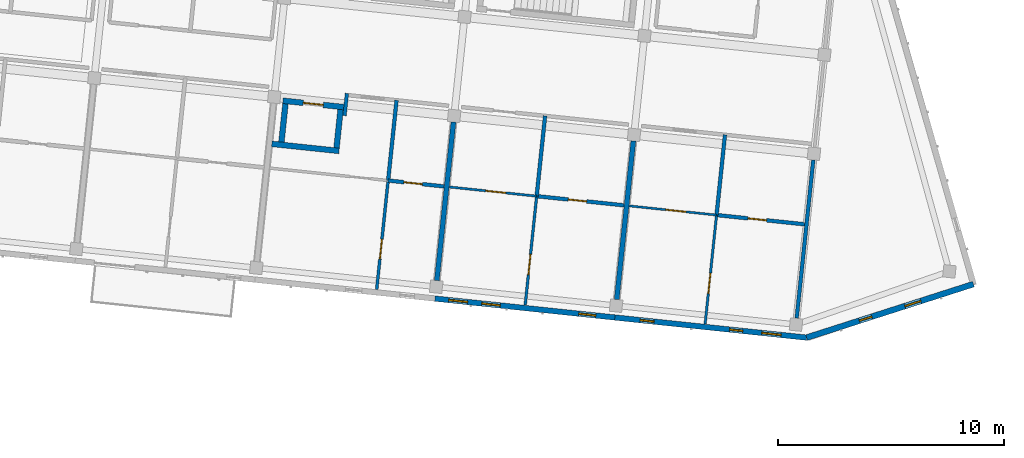
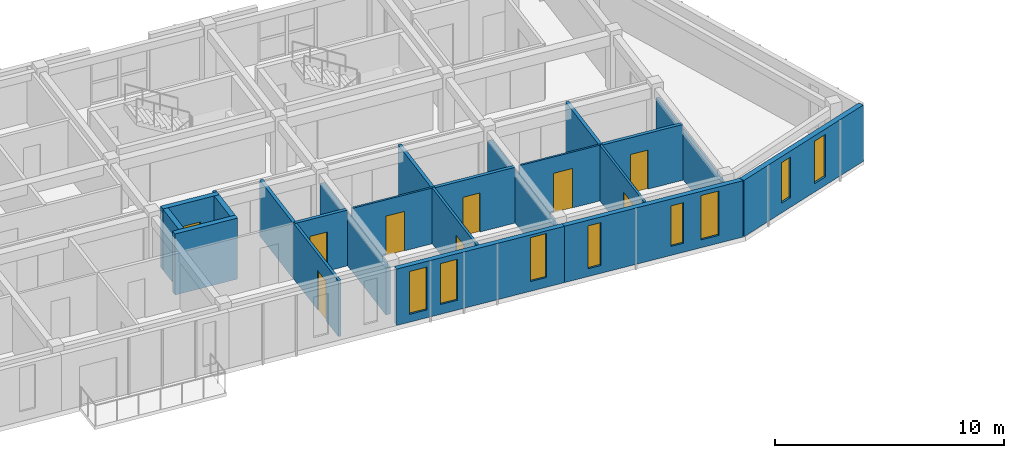
# One storey, part 37 of 66: 22 walls, 9 doors, 8 windows, 17 openings.
"""IFC4 building model written with IfcOpenShell, lengths in metres."""

import ifcopenshell
import ifcopenshell.guid

model = None  # the IFC model being written
_history = None  # IfcOwnerHistory: only IFC2X3 demands one
_inside = {}  # id of a spatial element -> (the spatial element, [elements in it])
_under = {}  # id of a project, library or spatial element -> (it, [spatial elements below it])
_declared = {}  # id of a project -> (the project, [libraries it declares])
_typed = {}  # id of a type object -> (the type object, [elements of that type])
_made_of = {}  # id of a material, layer set ... -> (it, [elements and type objects made of it])


def new_model(schema):
    """Start an empty IFC model of exactly this schema.

    Asked for "IFC4X3", IfcOpenShell would pick the latest addendum, in which some entities
    have other attributes; the version numbers below select the first issue.
    IFC2X3 requires an IfcOwnerHistory on every rooted entity: one is made here for all.
    """
    global model, _history
    if schema == "IFC4X3":
        model = ifcopenshell.file(schema_version=(4, 3, 0, 0))
    else:
        model = ifcopenshell.file(schema=schema)
    _inside.clear()
    _under.clear()
    _declared.clear()
    _typed.clear()
    _made_of.clear()
    _history = None
    if model.schema == "IFC2X3":
        org = make("IfcOrganization", Name="unknown")
        user = make(
            "IfcPersonAndOrganization",
            ThePerson=make("IfcPerson", FamilyName="unknown"),
            TheOrganization=org,
        )
        app = make(
            "IfcApplication",
            ApplicationDeveloper=org,
            Version="unknown",
            ApplicationFullName="unknown",
            ApplicationIdentifier="unknown",
        )
        _history = make(
            "IfcOwnerHistory",
            OwningUser=user,
            OwningApplication=app,
            ChangeAction="ADDED",
            CreationDate=0,
        )
    return model


def make(cls, **values):
    """One entity of the class cls with the attributes given. An attribute that is None is left unset."""
    return model.create_entity(
        cls, **{name: value for name, value in values.items() if value is not None}
    )


def rooted(cls, **values):
    """An entity with a GlobalId (a new one), such as an element, a storey or a relation."""
    return make(cls, GlobalId=ifcopenshell.guid.new(), OwnerHistory=_history, **values)


def si_unit(unit_type, name, prefix=None):
    """IfcSIUnit, for example si_unit("LENGTHUNIT", "METRE", prefix="MILLI")."""
    return make("IfcSIUnit", UnitType=unit_type, Prefix=prefix, Name=name)


def assignment(units):
    """IfcUnitAssignment: the units of a project."""
    return None if units is None else make("IfcUnitAssignment", Units=units)


def point(xyz):
    """IfcCartesianPoint."""
    return None if xyz is None else make("IfcCartesianPoint", Coordinates=xyz)


def direction(xyz):
    """IfcDirection."""
    return None if xyz is None else make("IfcDirection", DirectionRatios=xyz)


def frame(location, z_axis=None, x_axis=None):
    """IfcAxis2Placement3D, a coordinate frame: its origin and axes. An axis left out is left unset."""
    return make(
        "IfcAxis2Placement3D",
        Location=point(location),
        Axis=direction(z_axis),
        RefDirection=direction(x_axis),
    )


def frame_2d(location, x_axis=None):
    """IfcAxis2Placement2D, a coordinate frame in the plane: its origin and x axis."""
    return make(
        "IfcAxis2Placement2D", Location=point(location), RefDirection=direction(x_axis)
    )


def origin():
    """The frame at (0, 0, 0) with its axes left unset."""
    return frame((0.0, 0.0, 0.0))


def place(relative_to, where):
    """IfcLocalPlacement: puts the frame where relative to a parent placement (None: the world)."""
    return make(
        "IfcLocalPlacement", PlacementRelTo=relative_to, RelativePlacement=where
    )


def context(
    kind, dimensions, precision=None, world=None, true_north=None, identifier=None
):
    """IfcGeometricRepresentationContext, for example the 3D "Model" context."""
    return make(
        "IfcGeometricRepresentationContext",
        ContextIdentifier=identifier,
        ContextType=kind,
        CoordinateSpaceDimension=dimensions,
        Precision=precision,
        WorldCoordinateSystem=world,
        TrueNorth=true_north,
    )


def subcontext(parent, identifier, kind, view, scale=None):
    """IfcGeometricRepresentationSubContext, for example "Body" below "Model"."""
    return make(
        "IfcGeometricRepresentationSubContext",
        ContextIdentifier=identifier,
        ContextType=kind,
        ParentContext=parent,
        TargetScale=scale,
        TargetView=view,
    )


def project(units=None, contexts=None):
    """IfcProject with its units and contexts."""
    return rooted(
        "IfcProject",
        Name="project",
        RepresentationContexts=contexts,
        UnitsInContext=assignment(units),
    )


def spatial(cls, under=None, at=None, **own):
    """A site, building, storey or space (cls), placed at a placement, below another one or the project."""
    s = rooted(cls, ObjectPlacement=at, **own)
    if under is not None:
        _under.setdefault(under.id(), (under, []))[1].append(s)
    return s


def profile(cls, at=None, kind="AREA", **sizes):
    """A parametric profile (cls). Its sizes go by their IFC names, for example OverallWidth=200.0."""
    return make(cls, ProfileType=kind, Position=at, **sizes)


def rectangle(**sizes):
    """IfcRectangleProfileDef."""
    return profile("IfcRectangleProfileDef", **sizes)


def extrude(swept, where, along, depth):
    """IfcExtrudedAreaSolid: the profile swept, set in the frame where, extruded along a direction by depth."""
    return make(
        "IfcExtrudedAreaSolid",
        SweptArea=swept,
        Position=where,
        ExtrudedDirection=direction(along),
        Depth=depth,
    )


def shape(context_of_items, identifier, shape_type, items):
    """IfcShapeRepresentation: the items that make up one representation, for example the "Body"."""
    return make(
        "IfcShapeRepresentation",
        ContextOfItems=context_of_items,
        RepresentationIdentifier=identifier,
        RepresentationType=shape_type,
        Items=items,
    )


def material(Name=None, Category=None):
    """IfcMaterial."""
    return make("IfcMaterial", Name=Name, Category=Category)


def layer(
    of_material, thickness, ventilated=None, Name=None, Category=None, Priority=None
):
    """IfcMaterialLayer: one layer of a wall or slab, of a material (None: an air gap)."""
    return make(
        "IfcMaterialLayer",
        Material=of_material,
        LayerThickness=thickness,
        IsVentilated=ventilated,
        Name=Name,
        Category=Category,
        Priority=Priority,
    )


def layer_set(layers, Name=None):
    """IfcMaterialLayerSet."""
    return make("IfcMaterialLayerSet", MaterialLayers=layers, LayerSetName=Name)


def made_of(thing, what):
    """Note that an element or type object is made of a material, layer set ...; save() writes the relation."""
    if what is not None:
        _made_of.setdefault(what.id(), (what, []))[1].append(thing)
    return thing


def type_object(cls, material=None, **own):
    """A type object (cls), such as IfcWallType, which elements share."""
    return made_of(rooted(cls, **own), material)


def element(
    cls,
    number,
    at=None,
    inside=None,
    cuts=None,
    type_object=None,
    material=None,
    context=None,
    identifier="Body",
    shape_type=None,
    held_by="IfcProductDefinitionShape",
    body=None,
    shapes=None,
    **own,
):
    """One element of the class cls, such as IfcWall. Its Tag is "e" and its number.

    at: its placement. inside: the storey or other place that contains it. cuts: it is an
    opening in that element (IfcRelVoidsElement). A single representation is given by context,
    identifier, shape_type and body (its items); several are given by shapes. held_by: the class
    of the entity that holds the representations. save() writes the other relations.
    """
    e = rooted(cls, Tag="e%d" % number, ObjectPlacement=at, **own)
    if body is not None:
        shapes = [shape(context, identifier, shape_type, body)]
    if shapes is not None:
        e.Representation = make(held_by, Representations=shapes)
    if inside is not None:
        _inside.setdefault(inside.id(), (inside, []))[1].append(e)
    if cuts is not None:
        rooted(
            "IfcRelVoidsElement", RelatingBuildingElement=cuts, RelatedOpeningElement=e
        )
    if type_object is not None:
        _typed.setdefault(type_object.id(), (type_object, []))[1].append(e)
    return made_of(e, material)


def fill(opening, filler):
    """IfcRelFillsElement: the door or window that sits in an opening."""
    return rooted(
        "IfcRelFillsElement",
        RelatingOpeningElement=opening,
        RelatedBuildingElement=filler,
    )


def aggregate(whole, parts):
    """IfcRelAggregates: a whole, such as a stair, and the parts it consists of."""
    return rooted("IfcRelAggregates", RelatingObject=whole, RelatedObjects=parts)


def save(model, path):
    """Write the relations noted so far, then the file.

    IfcRelAggregates (storeys below a building ...), IfcRelContainedInSpatialStructure (elements
    in a storey), IfcRelDefinesByType, IfcRelAssociatesMaterial and IfcRelDeclares: one each for
    every whole, place, type object, material and project.
    """
    for whole, parts in _under.values():
        aggregate(whole, parts)
    for where, things in _inside.values():
        rooted(
            "IfcRelContainedInSpatialStructure",
            RelatedElements=things,
            RelatingStructure=where,
        )
    for kind, things in _typed.values():
        rooted("IfcRelDefinesByType", RelatedObjects=things, RelatingType=kind)
    for what, things in _made_of.values():
        rooted("IfcRelAssociatesMaterial", RelatedObjects=things, RelatingMaterial=what)
    for by, libraries in _declared.values():
        rooted("IfcRelDeclares", RelatingContext=by, RelatedDefinitions=libraries)
    model.write(path)


model = new_model("IFC4")

# Units and contexts
model_context = context("Model", 3, precision=1e-05, world=origin(), true_north=direction((0.0, 1.0)))
body_context = subcontext(model_context, "Body", "Model", "MODEL_VIEW")
ifc_project = project(units=[si_unit("LENGTHUNIT", "METRE"), si_unit("AREAUNIT", "SQUARE_METRE"), si_unit("VOLUMEUNIT", "CUBIC_METRE"), si_unit("PLANEANGLEUNIT", "RADIAN"), si_unit("MASSUNIT", "GRAM", prefix="KILO")], contexts=[model_context])

# Site, building, storey
site_placement = place(None, origin())
site = spatial("IfcSite", under=ifc_project, at=site_placement, CompositionType="ELEMENT")
building_placement = place(site_placement, origin())
building = spatial("IfcBuilding", under=site, at=building_placement, Name="Kestramere Prow Commons", CompositionType="ELEMENT")
storey_placement = place(building_placement, frame((0.0, 0.0, 14.89990234375)))
storey = spatial("IfcBuildingStorey", under=building, at=storey_placement, Name="L04", CompositionType="ELEMENT", Elevation=14.89990234375)

# Wall, openings, windows
ifc_material_1 = material(Name="Weathered Zinc-Titanium Standing-Seam Cladding")
ifc_layer_1 = layer(ifc_material_1, 0.260009765625)
ifc_layer_set_1 = layer_set([ifc_layer_1], Name="Weathered Zinc-Titanium Standing-Seam Cladding")
wall_type_1 = type_object("IfcWallType", Name="EW-PROW-260", PredefinedType="SOLIDWALL", material=ifc_layer_set_1)
wall_1_placement = place(storey_placement, frame((165.587158203125, 91.57177734375, 0.0), z_axis=(0.0, 0.0, 1.0), x_axis=(-0.9522851043, -0.305209895201, 0.0)))
wall_1 = element("IfcWall", 1, at=wall_1_placement, inside=storey, type_object=wall_type_1, Name="Block B L04 PRW-S Facet Wall", PredefinedType="SOLIDWALL", context=body_context, shape_type="SweptSolid", body=[
    extrude(rectangle(XDim=7.752685546875, YDim=0.260009765625, at=frame_2d((3.87646484375, 0.0))), origin(), (0.0, 0.0, 1.0), 3.0),
])
opening_1_placement = place(wall_1_placement, frame((2.449951171875, 0.0, 0.449951171875)))
opening_1 = element("IfcOpeningElement", 2, at=opening_1_placement, cuts=wall_1, Name="Opening WN-09", PredefinedType="OPENING", context=body_context, shape_type="SweptSolid", body=[
    extrude(rectangle(XDim=0.739990234375, YDim=2.260009765625, at=frame_2d((0.3701171875, 1.1298828125))), frame((0.0, 0.14501953125, 0.0), z_axis=(0.0, -1.0, 0.0), x_axis=(1.0, 0.0, 0.0)), (0.0, 0.0, 1.0), 0.2900390625),
])
opening_2_placement = place(wall_1_placement, frame((4.72265625, 0.0, 0.52001953125)))
opening_2 = element("IfcOpeningElement", 3, at=opening_2_placement, cuts=wall_1, Name="Opening WN-01", PredefinedType="OPENING", context=body_context, shape_type="SweptSolid", body=[
    extrude(rectangle(XDim=0.580078125, YDim=2.159912109375, at=frame_2d((0.2900390625, 1.080078125))), frame((0.0, 0.14501953125, 0.0), z_axis=(0.0, -1.0, 0.0), x_axis=(1.0, 0.0, 0.0)), (0.0, 0.0, 1.0), 0.2900390625),
])
ifc_material_2 = material(Name="Low-E Laminated Double Glazing", Category="glass")
window_type_1 = type_object("IfcWindowType", Name="WN-NAR-580A", PartitioningType="SINGLE_PANEL", PredefinedType="WINDOW", material=ifc_material_2)
window_1_placement = place(opening_2_placement, origin())
window_1 = element("IfcWindow", 4, at=window_1_placement, inside=storey, type_object=window_type_1, Name="WN-B-L04-PRW-S-1", OverallHeight=2.159912109375, OverallWidth=0.580078125, PartitioningType="SINGLE_PANEL", PredefinedType="WINDOW", context=body_context, shape_type="SweptSolid", body=[
    extrude(rectangle(XDim=0.580078125, YDim=2.159912109375, at=frame_2d((0.2900390625, 1.080078125))), frame((0.0, 0.030029296875, 0.0), z_axis=(0.0, -1.0, 0.0), x_axis=(1.0, 0.0, 0.0)), (0.0, 0.0, 1.0), 0.06005859375),
])
fill(opening_2, window_1)
window_type_2 = type_object("IfcWindowType", Name="WN-NAR-740A", PartitioningType="SINGLE_PANEL", PredefinedType="WINDOW", material=ifc_material_2)
window_2_placement = place(opening_1_placement, origin())
window_2 = element("IfcWindow", 5, at=window_2_placement, inside=storey, type_object=window_type_2, Name="WN-B-L04-PRW-S-0", OverallHeight=2.260009765625, OverallWidth=0.739990234375, PartitioningType="SINGLE_PANEL", PredefinedType="WINDOW", context=body_context, shape_type="SweptSolid", body=[
    extrude(rectangle(XDim=0.739990234375, YDim=2.260009765625, at=frame_2d((0.3701171875, 1.1298828125))), frame((0.0, 0.030029296875, 0.0), z_axis=(0.0, -1.0, 0.0), x_axis=(1.0, 0.0, 0.0)), (0.0, 0.0, 1.0), 0.06005859375),
])
fill(opening_1, window_2)

ifc_material_3 = material(Name="Fluoropolymer Standing-Seam Zinc-Aluminium Cladding", Category="aluminium")
ifc_layer_2 = layer(ifc_material_3, 0.239990234375)
ifc_layer_set_2 = layer_set([ifc_layer_2], Name="Fluoropolymer Standing-Seam Zinc-Aluminium Cladding")
wall_type_2 = type_object("IfcWallType", Name="EW-SEAM-240", PredefinedType="SOLIDWALL", material=ifc_layer_set_2)
wall_2_placement = place(storey_placement, frame((149.72607421875, 90.0966796875, 0.0), z_axis=(0.0, 0.0, 1.0), x_axis=(-0.994522662826, 0.104521161134, 0.0)))
wall_2 = element("IfcWall", 6, at=wall_2_placement, inside=storey, type_object=wall_type_2, Name="Block B L04 South Standing-Seam Wall 5", PredefinedType="SOLIDWALL", context=body_context, shape_type="SweptSolid", body=[
    extrude(rectangle(XDim=8.0, YDim=0.239990234375, at=frame_2d((4.0, 0.0))), origin(), (0.0, 0.0, 1.0), 3.0),
])
opening_3_placement = place(wall_2_placement, frame((0.846923828125, 0.0, 0.52001953125)))
opening_3 = element("IfcOpeningElement", 7, at=opening_3_placement, cuts=wall_2, Name="Opening WN-10", PredefinedType="OPENING", context=body_context, shape_type="SweptSolid", body=[
    extrude(rectangle(XDim=0.760009765625, YDim=2.340087890625, at=frame_2d((0.3798828125, 1.169921875))), frame((0.0, 0.135009765625, 0.0), z_axis=(0.0, -1.0, 0.0), x_axis=(1.0, 0.0, 0.0)), (0.0, 0.0, 1.0), 0.27001953125),
])
opening_4_placement = place(wall_2_placement, frame((5.10009765625, 0.0, 0.52001953125)))
opening_4 = element("IfcOpeningElement", 8, at=opening_4_placement, cuts=wall_2, Name="Opening WN-13", PredefinedType="OPENING", context=body_context, shape_type="SweptSolid", body=[
    extrude(rectangle(XDim=0.820068359375, YDim=2.179931640625, at=frame_2d((0.41015625, 1.08984375))), frame((0.0, 0.135009765625, 0.0), z_axis=(0.0, -1.0, 0.0), x_axis=(1.0, 0.0, 0.0)), (0.0, 0.0, 1.0), 0.27001953125),
])
opening_5_placement = place(wall_2_placement, frame((6.550048828125, 0.0, 0.419921875)))
opening_5 = element("IfcOpeningElement", 9, at=opening_5_placement, cuts=wall_2, Name="Opening WN-14", PredefinedType="OPENING", context=body_context, shape_type="SweptSolid", body=[
    extrude(rectangle(XDim=0.840087890625, YDim=2.280029296875, at=frame_2d((0.419921875, 1.14013671875))), frame((0.0, 0.135009765625, 0.0), z_axis=(0.0, -1.0, 0.0), x_axis=(1.0, 0.0, 0.0)), (0.0, 0.0, 1.0), 0.27001953125),
])
window_type_3 = type_object("IfcWindowType", Name="WN-NAR-760A", PartitioningType="SINGLE_PANEL", PredefinedType="WINDOW", material=ifc_material_2)
window_3_placement = place(opening_3_placement, origin())
window_3 = element("IfcWindow", 10, at=window_3_placement, inside=storey, type_object=window_type_3, Name="WN-B-L04-S-4-00", OverallHeight=2.340087890625, OverallWidth=0.760009765625, PartitioningType="SINGLE_PANEL", PredefinedType="WINDOW", context=body_context, shape_type="SweptSolid", body=[
    extrude(rectangle(XDim=0.760009765625, YDim=2.340087890625, at=frame_2d((0.3798828125, 1.169921875))), frame((0.0, 0.030029296875, 0.0), z_axis=(0.0, -1.0, 0.0), x_axis=(1.0, 0.0, 0.0)), (0.0, 0.0, 1.0), 0.06005859375),
])
fill(opening_3, window_3)
window_type_4 = type_object("IfcWindowType", Name="WN-NAR-820A", PartitioningType="DOUBLE_PANEL_VERTICAL", PredefinedType="WINDOW", material=ifc_material_2)
window_4_placement = place(opening_4_placement, origin())
window_4 = element("IfcWindow", 11, at=window_4_placement, inside=storey, type_object=window_type_4, Name="WN-B-L04-S-4-10", OverallHeight=2.179931640625, OverallWidth=0.820068359375, PartitioningType="SINGLE_PANEL", PredefinedType="WINDOW", context=body_context, shape_type="SweptSolid", body=[
    extrude(rectangle(XDim=0.820068359375, YDim=2.179931640625, at=frame_2d((0.41015625, 1.08984375))), frame((0.0, 0.030029296875, 0.0), z_axis=(0.0, -1.0, 0.0), x_axis=(1.0, 0.0, 0.0)), (0.0, 0.0, 1.0), 0.06005859375),
])
fill(opening_4, window_4)
window_type_5 = type_object("IfcWindowType", Name="WN-NAR-840A", PartitioningType="DOUBLE_PANEL_VERTICAL", PredefinedType="WINDOW", material=ifc_material_2)
window_5_placement = place(opening_5_placement, origin())
window_5 = element("IfcWindow", 12, at=window_5_placement, inside=storey, type_object=window_type_5, Name="WN-B-L04-S-4-11", OverallHeight=2.280029296875, OverallWidth=0.840087890625, PartitioningType="SINGLE_PANEL", PredefinedType="WINDOW", context=body_context, shape_type="SweptSolid", body=[
    extrude(rectangle(XDim=0.840087890625, YDim=2.280029296875, at=frame_2d((0.419921875, 1.14013671875))), frame((0.0, 0.030029296875, 0.0), z_axis=(0.0, -1.0, 0.0), x_axis=(1.0, 0.0, 0.0)), (0.0, 0.0, 1.0), 0.06005859375),
])
fill(opening_5, window_5)

wall_3_placement = place(storey_placement, frame((158.204345703125, 89.20556640625, 0.0), z_axis=(0.0, 0.0, 1.0), x_axis=(-0.994521760736, 0.104529744196, 0.0)))
wall_3 = element("IfcWall", 13, at=wall_3_placement, inside=storey, type_object=wall_type_2, Name="Block B L04 South Standing-Seam Wall 6", PredefinedType="SOLIDWALL", context=body_context, shape_type="SweptSolid", body=[
    extrude(rectangle(XDim=8.52490234375, YDim=0.239990234375, at=frame_2d((4.262451171875, 0.0))), origin(), (0.0, 0.0, 1.0), 3.0),
])
opening_6_placement = place(wall_3_placement, frame((1.135009765625, 0.0, 0.419921875)))
opening_6 = element("IfcOpeningElement", 14, at=opening_6_placement, cuts=wall_3, Name="Opening WN-15", PredefinedType="OPENING", context=body_context, shape_type="SweptSolid", body=[
    extrude(rectangle(XDim=0.860107421875, YDim=2.360107421875, at=frame_2d((0.43017578125, 1.18017578125))), frame((0.0, 0.135009765625, 0.0), z_axis=(0.0, -1.0, 0.0), x_axis=(1.0, 0.0, 0.0)), (0.0, 0.0, 1.0), 0.27001953125),
])
opening_7_placement = place(wall_3_placement, frame((2.844970703125, 0.0, 0.47998046875)))
opening_7 = element("IfcOpeningElement", 15, at=opening_7_placement, cuts=wall_3, Name="Opening WN-01", PredefinedType="OPENING", context=body_context, shape_type="SweptSolid", body=[
    extrude(rectangle(XDim=0.580078125, YDim=2.159912109375, at=frame_2d((0.2900390625, 1.080078125))), frame((0.0, 0.135009765625, 0.0), z_axis=(0.0, -1.0, 0.0), x_axis=(1.0, 0.0, 0.0)), (0.0, 0.0, 1.0), 0.27001953125),
])
opening_8_placement = place(wall_3_placement, frame((6.7822265625, 0.0, 0.419921875)))
opening_8 = element("IfcOpeningElement", 16, at=opening_8_placement, cuts=wall_3, Name="Opening WN-03", PredefinedType="OPENING", context=body_context, shape_type="SweptSolid", body=[
    extrude(rectangle(XDim=0.6201171875, YDim=2.280029296875, at=frame_2d((0.31005859375, 1.14013671875))), frame((0.0, 0.135009765625, 0.0), z_axis=(0.0, -1.0, 0.0), x_axis=(1.0, 0.0, 0.0)), (0.0, 0.0, 1.0), 0.27001953125),
])
window_6_placement = place(opening_7_placement, origin())
window_6 = element("IfcWindow", 17, at=window_6_placement, inside=storey, type_object=window_type_1, Name="WN-B-L04-S-5-01", OverallHeight=2.159912109375, OverallWidth=0.580078125, PartitioningType="SINGLE_PANEL", PredefinedType="WINDOW", context=body_context, shape_type="SweptSolid", body=[
    extrude(rectangle(XDim=0.580078125, YDim=2.159912109375, at=frame_2d((0.2900390625, 1.080078125))), frame((0.0, 0.030029296875, 0.0), z_axis=(0.0, -1.0, 0.0), x_axis=(1.0, 0.0, 0.0)), (0.0, 0.0, 1.0), 0.06005859375),
])
fill(opening_7, window_6)
window_type_6 = type_object("IfcWindowType", Name="WN-NAR-620A", PartitioningType="SINGLE_PANEL", PredefinedType="WINDOW", material=ifc_material_2)
window_7_placement = place(opening_8_placement, origin())
window_7 = element("IfcWindow", 18, at=window_7_placement, inside=storey, type_object=window_type_6, Name="WN-B-L04-S-5-10", OverallHeight=2.280029296875, OverallWidth=0.6201171875, PartitioningType="SINGLE_PANEL", PredefinedType="WINDOW", context=body_context, shape_type="SweptSolid", body=[
    extrude(rectangle(XDim=0.6201171875, YDim=2.280029296875, at=frame_2d((0.31005859375, 1.14013671875))), frame((0.0, 0.030029296875, 0.0), z_axis=(0.0, -1.0, 0.0), x_axis=(1.0, 0.0, 0.0)), (0.0, 0.0, 1.0), 0.06005859375),
])
fill(opening_8, window_7)
window_type_7 = type_object("IfcWindowType", Name="WN-NAR-860A", PartitioningType="DOUBLE_PANEL_VERTICAL", PredefinedType="WINDOW", material=ifc_material_2)
window_8_placement = place(opening_6_placement, origin())
window_8 = element("IfcWindow", 19, at=window_8_placement, inside=storey, type_object=window_type_7, Name="WN-B-L04-S-5-00", OverallHeight=2.360107421875, OverallWidth=0.860107421875, PartitioningType="SINGLE_PANEL", PredefinedType="WINDOW", context=body_context, shape_type="SweptSolid", body=[
    extrude(rectangle(XDim=0.860107421875, YDim=2.360107421875, at=frame_2d((0.43017578125, 1.18017578125))), frame((0.0, 0.030029296875, 0.0), z_axis=(0.0, -1.0, 0.0), x_axis=(1.0, 0.0, 0.0)), (0.0, 0.0, 1.0), 0.06005859375),
])
fill(opening_6, window_8)

# Walls
ifc_material_4 = material(Name="Fire-Rated Calcium Silicate Wall")
ifc_layer_3 = layer(ifc_material_4, 0.155029296875)
ifc_layer_set_3 = layer_set([ifc_layer_3], Name="Fire-Rated Calcium Silicate Wall")
wall_type_3 = type_object("IfcWallType", Name="W-FIRE-150", PredefinedType="PARTITIONING", material=ifc_layer_set_3)
wall_4_placement = place(storey_placement, frame((137.773193359375, 99.02001953125, 0.0), z_axis=(0.0, 0.0, 1.0), x_axis=(0.104531505358, 0.994521575627, 0.0)))
element("IfcWall", 20, at=wall_4_placement, inside=storey, type_object=wall_type_3, Name="Interior Partition PW-B-L04-HS-CLOSER", PredefinedType="PARTITIONING", context=body_context, shape_type="SweptSolid", body=[
    extrude(rectangle(XDim=0.994873046875, YDim=0.155029296875, at=frame_2d((0.49755859375, 0.0))), origin(), (0.0, 0.0, 1.0), 2.97021484375),
])
ifc_material_5 = material(Name="Concrete C40/50", Category="concrete")
ifc_layer_4 = layer(ifc_material_5, 0.25)
ifc_layer_set_4 = layer_set([ifc_layer_4], Name="Concrete C40/50")
wall_type_4 = type_object("IfcWallType", Name="W-HS-250", PredefinedType="SHEAR", material=ifc_layer_set_4)
wall_5_placement = place(storey_placement, frame((134.555419921875, 97.774658203125, 0.0), z_axis=(0.0, 0.0, 1.0), x_axis=(0.994514844427, -0.104595526741, 0.0)))
element("IfcWall", 21, at=wall_5_placement, inside=storey, type_object=wall_type_4, Name="Block B L04 Household Shelter South Wall", PredefinedType="SHEAR", context=body_context, shape_type="SweptSolid", body=[
    extrude(rectangle(XDim=2.989990234375, YDim=0.25, at=frame_2d((1.4951171875, 0.0))), origin(), (0.0, 0.0, 1.0), 3.25),
])

# Wall, opening, door
wall_6_placement = place(storey_placement, frame((135.047607421875, 99.68359375, 0.0), z_axis=(0.0, 0.0, 1.0), x_axis=(0.994522285292, -0.104524753323, 0.0)))
wall_6 = element("IfcWall", 22, at=wall_6_placement, inside=storey, type_object=wall_type_4, Name="Block B L04 Household Shelter North Wall", PredefinedType="SHEAR", context=body_context, shape_type="SweptSolid", body=[
    extrude(rectangle(XDim=2.7001953125, YDim=0.25, at=frame_2d((1.35009765625, 0.0))), origin(), (0.0, 0.0, 1.0), 3.25),
])
opening_9_placement = place(wall_6_placement, frame((0.89990234375, 0.0, 0.0)))
opening_9 = element("IfcOpeningElement", 23, at=opening_9_placement, cuts=wall_6, Name="Opening ID-06", PredefinedType="OPENING", context=body_context, shape_type="SweptSolid", body=[
    extrude(rectangle(XDim=0.89990234375, YDim=2.050048828125, at=frame_2d((0.449951171875, 1.02490234375))), frame((0.0, 0.139892578125, 0.0), z_axis=(0.0, -1.0, 0.0), x_axis=(1.0, 0.0, 0.0)), (0.0, 0.0, 1.0), 0.280029296875),
])
ifc_material_6 = material(Name="Galvanised Steel S275JR Household Shelter Door", Category="steel")
door_type_1 = type_object("IfcDoorType", Name="FD-HS-01", OperationType="NOTDEFINED", PredefinedType="DOOR", material=ifc_material_6)
door_1_placement = place(opening_9_placement, origin())
door_1 = element("IfcDoor", 24, at=door_1_placement, inside=storey, type_object=door_type_1, Name="Block B L04 Household Shelter Blast Door", OperationType="SINGLE_SWING_RIGHT", OverallHeight=2.050048828125, OverallWidth=0.89990234375, PredefinedType="DOOR", context=body_context, shape_type="SweptSolid", body=[
    extrude(rectangle(XDim=0.89990234375, YDim=2.050048828125, at=frame_2d((0.449951171875, 1.02490234375))), frame((0.0, 0.02490234375, 0.0), z_axis=(0.0, -1.0, 0.0), x_axis=(1.0, 0.0, 0.0)), (0.0, 0.0, 1.0), 0.050048828125),
])
fill(opening_9, door_1)

# Walls
for number, where, z_axis, x_axis, name in (
    (25, (134.981201171875, 97.85546875, 0.0), (0.0, 0.0, 1.0), (0.104550220202, 0.994519608382, 0.0), "Block B L04 Household Shelter W Wall"),
    (26, (137.417724609375, 97.599365234375, 0.0), (0.0, 0.0, 1.0), (0.104550220202, 0.994519608382, 0.0), "Block B L04 Household Shelter E Wall"),
):
    element("IfcWall", number, at=place(storey_placement, frame(where, z_axis=z_axis, x_axis=x_axis)), inside=storey, type_object=wall_type_4, Name=name, PredefinedType="SHEAR", context=body_context, shape_type="SweptSolid", body=[
        extrude(rectangle(XDim=1.699951171875, YDim=0.25, at=frame_2d((0.85009765625, 0.0))), origin(), (0.0, 0.0, 1.0), 3.25),
    ])

# Wall, opening, door
ifc_material_7 = material(Name="Gypsum Acoustic Drywall")
ifc_layer_5 = layer(ifc_material_7, 0.10009765625)
ifc_layer_set_5 = layer_set([ifc_layer_5], Name="Gypsum Acoustic Drywall")
wall_type_5 = type_object("IfcWallType", Name="W-PART-100", PredefinedType="PARTITIONING", material=ifc_layer_set_5)
wall_7_placement = place(storey_placement, frame((142.404296875, 95.86865234375, 0.0), z_axis=(0.0, 0.0, 1.0), x_axis=(0.994523688713, -0.104511399326, 0.0)))
wall_7 = element("IfcWall", 27, at=wall_7_placement, inside=storey, type_object=wall_type_5, Name="Interior Partition PW-B-L04-MIDS1-4", PredefinedType="PARTITIONING", context=body_context, shape_type="SweptSolid", body=[
    extrude(rectangle(XDim=3.884765625, YDim=0.10009765625, at=frame_2d((1.9423828125, 0.0))), origin(), (0.0, 0.0, 1.0), 2.97021484375),
])
opening_10_placement = place(wall_7_placement, frame((1.625, 0.0, 0.0)))
opening_10 = element("IfcOpeningElement", 28, at=opening_10_placement, cuts=wall_7, Name="Opening ID-10", PredefinedType="OPENING", context=body_context, shape_type="SweptSolid", body=[
    extrude(rectangle(XDim=0.8798828125, YDim=2.10009765625, at=frame_2d((0.43994140625, 1.050048828125))), frame((0.0, 0.06494140625, 0.0), z_axis=(0.0, -1.0, 0.0), x_axis=(1.0, 0.0, 0.0)), (0.0, 0.0, 1.0), 0.130126953125),
])
ifc_material_8 = material(Name="Engineered Timber Bedroom Door", Category="wood")
door_type_2 = type_object("IfcDoorType", Name="D-RM-03", OperationType="NOTDEFINED", PredefinedType="DOOR", material=ifc_material_8)
door_2_placement = place(opening_10_placement, origin())
door_2 = element("IfcDoor", 29, at=door_2_placement, inside=storey, type_object=door_type_2, Name="Interior Door DR-B-L04-KL-S4", OperationType="SINGLE_SWING_RIGHT", OverallHeight=2.10009765625, OverallWidth=0.8798828125, PredefinedType="DOOR", context=body_context, shape_type="SweptSolid", body=[
    extrude(rectangle(XDim=0.8798828125, YDim=2.10009765625, at=frame_2d((0.43994140625, 1.050048828125))), frame((0.0, 0.02490234375, 0.0), z_axis=(0.0, -1.0, 0.0), x_axis=(1.0, 0.0, 0.0)), (0.0, 0.0, 1.0), 0.050048828125),
])
fill(opening_10, door_2)

ifc_layer_6 = layer(ifc_material_7, 0.110107421875)
ifc_layer_set_6 = layer_set([ifc_layer_6], Name="Gypsum Acoustic Drywall")
wall_type_6 = type_object("IfcWallType", Name="W-PART-110", PredefinedType="PARTITIONING", material=ifc_layer_set_6)
wall_8_placement = place(storey_placement, frame((153.71826171875, 89.81298828125, 0.0), z_axis=(0.0, 0.0, 1.0), x_axis=(0.104516733692, 0.994523128126, 0.0)))
wall_8 = element("IfcWall", 30, at=wall_8_placement, inside=storey, type_object=wall_type_6, Name="Interior Partition PW-B-L04-LB-S5", PredefinedType="PARTITIONING", context=body_context, shape_type="SweptSolid", body=[
    extrude(rectangle(XDim=4.840087890625, YDim=0.110107421875, at=frame_2d((2.419921875, 0.0))), origin(), (0.0, 0.0, 1.0), 2.97021484375),
])
opening_11_placement = place(wall_8_placement, frame((1.35009765625, 0.0, 0.0)))
opening_11 = element("IfcOpeningElement", 31, at=opening_11_placement, cuts=wall_8, Name="Opening ID-08", PredefinedType="OPENING", context=body_context, shape_type="SweptSolid", body=[
    extrude(rectangle(XDim=0.89990234375, YDim=2.10009765625, at=frame_2d((0.449951171875, 1.050048828125))), frame((0.0, 0.070068359375, 0.0), z_axis=(0.0, -1.0, 0.0), x_axis=(1.0, 0.0, 0.0)), (0.0, 0.0, 1.0), 0.14013671875),
])
ifc_material_9 = material(Name="Engineered Timber Flush Door", Category="wood")
door_type_3 = type_object("IfcDoorType", Name="D-RM-01", OperationType="NOTDEFINED", PredefinedType="DOOR", material=ifc_material_9)
door_3_placement = place(opening_11_placement, origin())
door_3 = element("IfcDoor", 32, at=door_3_placement, inside=storey, type_object=door_type_3, Name="Interior Door DR-B-L04-BED-S5", OperationType="SINGLE_SWING_RIGHT", OverallHeight=2.10009765625, OverallWidth=0.89990234375, PredefinedType="DOOR", context=body_context, shape_type="SweptSolid", body=[
    extrude(rectangle(XDim=0.89990234375, YDim=2.10009765625, at=frame_2d((0.449951171875, 1.050048828125))), frame((0.0, 0.02490234375, 0.0), z_axis=(0.0, -1.0, 0.0), x_axis=(1.0, 0.0, 0.0)), (0.0, 0.0, 1.0), 0.050048828125),
])
fill(opening_11, door_3)

ifc_material_10 = material(Name="Lightweight Blockwork and Plaster", Category="masonry")
ifc_layer_7 = layer(ifc_material_10, 0.1201171875)
ifc_layer_set_7 = layer_set([ifc_layer_7], Name="Lightweight Blockwork and Plaster")
wall_type_7 = type_object("IfcWallType", Name="W-PART-120", PredefinedType="PARTITIONING", material=ifc_layer_set_7)
wall_9_placement = place(storey_placement, frame((145.761962890625, 90.649169921875, 0.0), z_axis=(0.0, 0.0, 1.0), x_axis=(0.104516733692, 0.994523128126, 0.0)))
wall_9 = element("IfcWall", 33, at=wall_9_placement, inside=storey, type_object=wall_type_7, Name="Interior Partition PW-B-L04-LB-S4", PredefinedType="PARTITIONING", context=body_context, shape_type="SweptSolid", body=[
    extrude(rectangle(XDim=4.840087890625, YDim=0.1201171875, at=frame_2d((2.419921875, 0.0))), origin(), (0.0, 0.0, 1.0), 2.97021484375),
])
opening_12_placement = place(wall_9_placement, frame((1.35009765625, 0.0, 0.0)))
opening_12 = element("IfcOpeningElement", 34, at=opening_12_placement, cuts=wall_9, Name="Opening ID-08", PredefinedType="OPENING", context=body_context, shape_type="SweptSolid", body=[
    extrude(rectangle(XDim=0.89990234375, YDim=2.10009765625, at=frame_2d((0.449951171875, 1.050048828125))), frame((0.0, 0.074951171875, 0.0), z_axis=(0.0, -1.0, 0.0), x_axis=(1.0, 0.0, 0.0)), (0.0, 0.0, 1.0), 0.150146484375),
])
door_4_placement = place(opening_12_placement, origin())
door_4 = element("IfcDoor", 35, at=door_4_placement, inside=storey, type_object=door_type_3, Name="Interior Door DR-B-L04-BED-S4", OperationType="SINGLE_SWING_LEFT", OverallHeight=2.10009765625, OverallWidth=0.89990234375, PredefinedType="DOOR", context=body_context, shape_type="SweptSolid", body=[
    extrude(rectangle(XDim=0.89990234375, YDim=2.10009765625, at=frame_2d((0.449951171875, 1.050048828125))), frame((0.0, 0.02490234375, 0.0), z_axis=(0.0, -1.0, 0.0), x_axis=(1.0, 0.0, 0.0)), (0.0, 0.0, 1.0), 0.050048828125),
])
fill(opening_12, door_4)

ifc_layer_8 = layer(ifc_material_10, 0.1298828125)
ifc_layer_set_8 = layer_set([ifc_layer_8], Name="Lightweight Blockwork and Plaster")
wall_type_8 = type_object("IfcWallType", Name="W-PART-130", PredefinedType="PARTITIONING", material=ifc_layer_set_8)
wall_10_placement = place(storey_placement, frame((139.193115234375, 91.339599609375, 0.0), z_axis=(0.0, 0.0, 1.0), x_axis=(0.104566624716, 0.994517883698, 0.0)))
wall_10 = element("IfcWall", 36, at=wall_10_placement, inside=storey, type_object=wall_type_8, Name="Interior Partition PW-B-L04-LB-S3", PredefinedType="PARTITIONING", context=body_context, shape_type="SweptSolid", body=[
    extrude(rectangle(XDim=4.840087890625, YDim=0.1298828125, at=frame_2d((2.419921875, 0.0))), origin(), (0.0, 0.0, 1.0), 2.97021484375),
])
opening_13_placement = place(wall_10_placement, frame((1.35009765625, 0.0, 0.0)))
opening_13 = element("IfcOpeningElement", 37, at=opening_13_placement, cuts=wall_10, Name="Opening ID-10", PredefinedType="OPENING", context=body_context, shape_type="SweptSolid", body=[
    extrude(rectangle(XDim=0.8798828125, YDim=2.10009765625, at=frame_2d((0.43994140625, 1.050048828125))), frame((0.0, 0.079833984375, 0.0), z_axis=(0.0, -1.0, 0.0), x_axis=(1.0, 0.0, 0.0)), (0.0, 0.0, 1.0), 0.159912109375),
])
door_5_placement = place(opening_13_placement, origin())
door_5 = element("IfcDoor", 38, at=door_5_placement, inside=storey, type_object=door_type_2, Name="Interior Door DR-B-L04-BED-S3", OperationType="SINGLE_SWING_RIGHT", OverallHeight=2.10009765625, OverallWidth=0.8798828125, PredefinedType="DOOR", context=body_context, shape_type="SweptSolid", body=[
    extrude(rectangle(XDim=0.8798828125, YDim=2.10009765625, at=frame_2d((0.43994140625, 1.050048828125))), frame((0.0, 0.02490234375, 0.0), z_axis=(0.0, -1.0, 0.0), x_axis=(1.0, 0.0, 0.0)), (0.0, 0.0, 1.0), 0.050048828125),
])
fill(opening_13, door_5)

ifc_layer_9 = layer(ifc_material_7, 0.094970703125)
ifc_layer_set_9 = layer_set([ifc_layer_9], Name="Gypsum Acoustic Drywall")
wall_type_9 = type_object("IfcWallType", Name="W-PART-95", PredefinedType="PARTITIONING", material=ifc_layer_set_9)
wall_11_placement = place(storey_placement, frame((150.3603515625, 95.032470703125, 0.0), z_axis=(0.0, 0.0, 1.0), x_axis=(0.994524375082, -0.104504867671, 0.0)))
wall_11 = element("IfcWall", 39, at=wall_11_placement, inside=storey, type_object=wall_type_9, Name="Interior Partition PW-B-L04-MIDS1-5", PredefinedType="PARTITIONING", context=body_context, shape_type="SweptSolid", body=[
    extrude(rectangle(XDim=3.885009765625, YDim=0.094970703125, at=frame_2d((1.9423828125, 0.0))), origin(), (0.0, 0.0, 1.0), 2.97021484375),
])
opening_14_placement = place(wall_11_placement, frame((1.625, 0.0, 0.0)))
opening_14 = element("IfcOpeningElement", 40, at=opening_14_placement, cuts=wall_11, Name="Opening ID-08", PredefinedType="OPENING", context=body_context, shape_type="SweptSolid", body=[
    extrude(rectangle(XDim=0.89990234375, YDim=2.10009765625, at=frame_2d((0.449951171875, 1.050048828125))), frame((0.0, 0.0625, 0.0), z_axis=(0.0, -1.0, 0.0), x_axis=(1.0, 0.0, 0.0)), (0.0, 0.0, 1.0), 0.125),
])
door_6_placement = place(opening_14_placement, origin())
door_6 = element("IfcDoor", 41, at=door_6_placement, inside=storey, type_object=door_type_3, Name="Interior Door DR-B-L04-KL-S5", OperationType="SINGLE_SWING_RIGHT", OverallHeight=2.10009765625, OverallWidth=0.89990234375, PredefinedType="DOOR", context=body_context, shape_type="SweptSolid", body=[
    extrude(rectangle(XDim=0.89990234375, YDim=2.10009765625, at=frame_2d((0.449951171875, 1.050048828125))), frame((0.0, 0.02490234375, 0.0), z_axis=(0.0, -1.0, 0.0), x_axis=(1.0, 0.0, 0.0)), (0.0, 0.0, 1.0), 0.050048828125),
])
fill(opening_14, door_6)

# Wall
ifc_material_11 = material(Name="Waterproof Sanitary Masonry Wall", Category="masonry")
ifc_layer_10 = layer(ifc_material_11, 0.1650390625)
ifc_layer_set_10 = layer_set([ifc_layer_10], Name="Waterproof Sanitary Masonry Wall")
wall_type_10 = type_object("IfcWallType", Name="W-PLUMB-150", PredefinedType="PLUMBINGWALL", material=ifc_layer_set_10)
wall_12_placement = place(storey_placement, frame((157.766845703125, 90.066162109375, 0.0), z_axis=(0.0, 0.0, 1.0), x_axis=(0.104532929154, 0.994521425975, 0.0)))
element("IfcWall", 42, at=wall_12_placement, inside=storey, type_object=wall_type_10, Name="Interior Partition PW-B-L04-PRWE-S", PredefinedType="PLUMBINGWALL", context=body_context, shape_type="SweptSolid", body=[
    extrude(rectangle(XDim=7.030029296875, YDim=0.1650390625, at=frame_2d((3.51513671875, 0.0))), origin(), (0.0, 0.0, 1.0), 2.5),
])

# Wall, opening, door
wall_13_placement = place(storey_placement, frame((139.69921875, 96.153076171875, 0.0), z_axis=(0.0, 0.0, 1.0), x_axis=(0.994522631864, -0.10452145574, 0.0)))
wall_13 = element("IfcWall", 43, at=wall_13_placement, inside=storey, type_object=wall_type_10, Name="Interior Partition PW-B-L04-MIDS2-3", PredefinedType="PLUMBINGWALL", context=body_context, shape_type="SweptSolid", body=[
    extrude(rectangle(XDim=2.489990234375, YDim=0.1650390625, at=frame_2d((1.2451171875, 0.0))), origin(), (0.0, 0.0, 1.0), 2.97021484375),
])
opening_15_placement = place(wall_13_placement, frame((0.702880859375, 0.0, 0.0)))
opening_15 = element("IfcOpeningElement", 44, at=opening_15_placement, cuts=wall_13, Name="Opening ID-11", PredefinedType="OPENING", context=body_context, shape_type="SweptSolid", body=[
    extrude(rectangle(XDim=0.820068359375, YDim=2.080078125, at=frame_2d((0.41015625, 1.0400390625))), frame((0.0, 0.097412109375, 0.0), z_axis=(0.0, -1.0, 0.0), x_axis=(1.0, 0.0, 0.0)), (0.0, 0.0, 1.0), 0.195068359375),
])
ifc_material_12 = material(Name="Moisture-Resistant Timber Bathroom Door", Category="wood")
door_type_4 = type_object("IfcDoorType", Name="D-BT-01", OperationType="NOTDEFINED", PredefinedType="DOOR", material=ifc_material_12)
door_7_placement = place(opening_15_placement, origin())
door_7 = element("IfcDoor", 45, at=door_7_placement, inside=storey, type_object=door_type_4, Name="Interior Door DR-B-L04-BTH-S3", OperationType="SINGLE_SWING_LEFT", OverallHeight=2.080078125, OverallWidth=0.820068359375, PredefinedType="DOOR", context=body_context, shape_type="SweptSolid", body=[
    extrude(rectangle(XDim=0.820068359375, YDim=2.080078125, at=frame_2d((0.41015625, 1.0400390625))), frame((0.0, 0.02490234375, 0.0), z_axis=(0.0, -1.0, 0.0), x_axis=(1.0, 0.0, 0.0)), (0.0, 0.0, 1.0), 0.050048828125),
])
fill(opening_15, door_7)

# Wall
wall_14_placement = place(storey_placement, frame((139.69921875, 96.153076171875, 0.0), z_axis=(0.0, 0.0, 1.0), x_axis=(0.104499661737, 0.994524922109, 0.0)))
element("IfcWall", 46, at=wall_14_placement, inside=storey, type_object=wall_type_10, Name="Interior Partition PW-B-L04-KB-S3", PredefinedType="PLUMBINGWALL", context=body_context, shape_type="SweptSolid", body=[
    extrude(rectangle(XDim=3.56982421875, YDim=0.1650390625, at=frame_2d((1.784912109375, 0.0))), origin(), (0.0, 0.0, 1.0), 2.97021484375),
])

# Wall, opening, door
wall_15_placement = place(storey_placement, frame((146.267822265625, 95.462646484375, 0.0), z_axis=(0.0, 0.0, 1.0), x_axis=(0.994517841934, -0.104567021925, 0.0)))
wall_15 = element("IfcWall", 47, at=wall_15_placement, inside=storey, type_object=wall_type_10, Name="Interior Partition PW-B-L04-MIDS2-4", PredefinedType="PLUMBINGWALL", context=body_context, shape_type="SweptSolid", body=[
    extrude(rectangle(XDim=3.885009765625, YDim=0.1650390625, at=frame_2d((1.9423828125, 0.0))), origin(), (0.0, 0.0, 1.0), 2.97021484375),
])
opening_16_placement = place(wall_15_placement, frame((1.39990234375, 0.0, 0.0)))
opening_16 = element("IfcOpeningElement", 48, at=opening_16_placement, cuts=wall_15, Name="Opening ID-11", PredefinedType="OPENING", context=body_context, shape_type="SweptSolid", body=[
    extrude(rectangle(XDim=0.820068359375, YDim=2.080078125, at=frame_2d((0.41015625, 1.0400390625))), frame((0.0, 0.097412109375, 0.0), z_axis=(0.0, -1.0, 0.0), x_axis=(1.0, 0.0, 0.0)), (0.0, 0.0, 1.0), 0.195068359375),
])
door_8_placement = place(opening_16_placement, origin())
door_8 = element("IfcDoor", 49, at=door_8_placement, inside=storey, type_object=door_type_4, Name="Interior Door DR-B-L04-BTH-S4", OperationType="SINGLE_SWING_LEFT", OverallHeight=2.080078125, OverallWidth=0.820068359375, PredefinedType="DOOR", context=body_context, shape_type="SweptSolid", body=[
    extrude(rectangle(XDim=0.820068359375, YDim=2.080078125, at=frame_2d((0.41015625, 1.0400390625))), frame((0.0, 0.02490234375, 0.0), z_axis=(0.0, -1.0, 0.0), x_axis=(1.0, 0.0, 0.0)), (0.0, 0.0, 1.0), 0.050048828125),
])
fill(opening_16, door_8)

# Wall
wall_16_placement = place(storey_placement, frame((146.267822265625, 95.462646484375, 0.0), z_axis=(0.0, 0.0, 1.0), x_axis=(0.104567304014, 0.994517812275, 0.0)))
element("IfcWall", 50, at=wall_16_placement, inside=storey, type_object=wall_type_10, Name="Interior Partition PW-B-L04-KB-S4", PredefinedType="PLUMBINGWALL", context=body_context, shape_type="SweptSolid", body=[
    extrude(rectangle(XDim=3.56982421875, YDim=0.1650390625, at=frame_2d((1.784912109375, 0.0))), origin(), (0.0, 0.0, 1.0), 2.97021484375),
])

# Wall, opening, door
wall_17_placement = place(storey_placement, frame((154.22412109375, 94.62646484375, 0.0), z_axis=(0.0, 0.0, 1.0), x_axis=(0.994522546118, -0.10452227161, 0.0)))
wall_17 = element("IfcWall", 51, at=wall_17_placement, inside=storey, type_object=wall_type_10, Name="Interior Partition PW-B-L04-MIDS2-5", PredefinedType="PLUMBINGWALL", context=body_context, shape_type="SweptSolid", body=[
    extrude(rectangle(XDim=3.91015625, YDim=0.1650390625, at=frame_2d((1.955078125, 0.0))), origin(), (0.0, 0.0, 1.0), 2.97021484375),
])
opening_17_placement = place(wall_17_placement, frame((1.39990234375, 0.0, 0.0)))
opening_17 = element("IfcOpeningElement", 52, at=opening_17_placement, cuts=wall_17, Name="Opening ID-11", PredefinedType="OPENING", context=body_context, shape_type="SweptSolid", body=[
    extrude(rectangle(XDim=0.820068359375, YDim=2.080078125, at=frame_2d((0.41015625, 1.0400390625))), frame((0.0, 0.097412109375, 0.0), z_axis=(0.0, -1.0, 0.0), x_axis=(1.0, 0.0, 0.0)), (0.0, 0.0, 1.0), 0.195068359375),
])
door_9_placement = place(opening_17_placement, origin())
door_9 = element("IfcDoor", 53, at=door_9_placement, inside=storey, type_object=door_type_4, Name="Interior Door DR-B-L04-BTH-S5", OperationType="SINGLE_SWING_LEFT", OverallHeight=2.080078125, OverallWidth=0.820068359375, PredefinedType="DOOR", context=body_context, shape_type="SweptSolid", body=[
    extrude(rectangle(XDim=0.820068359375, YDim=2.080078125, at=frame_2d((0.41015625, 1.0400390625))), frame((0.0, 0.02490234375, 0.0), z_axis=(0.0, -1.0, 0.0), x_axis=(1.0, 0.0, 0.0)), (0.0, 0.0, 1.0), 0.050048828125),
])
fill(opening_17, door_9)

# Walls
wall_18_placement = place(storey_placement, frame((154.22412109375, 94.62646484375, 0.0), z_axis=(0.0, 0.0, 1.0), x_axis=(0.104499661737, 0.994524922109, 0.0)))
element("IfcWall", 54, at=wall_18_placement, inside=storey, type_object=wall_type_10, Name="Interior Partition PW-B-L04-KB-S5", PredefinedType="PLUMBINGWALL", context=body_context, shape_type="SweptSolid", body=[
    extrude(rectangle(XDim=3.56982421875, YDim=0.1650390625, at=frame_2d((1.784912109375, 0.0))), origin(), (0.0, 0.0, 1.0), 2.97021484375),
])
ifc_material_13 = material(Name="Precast concrete C40/50", Category="concrete")
ifc_layer_11 = layer(ifc_material_13, 0.219970703125)
ifc_layer_set_11 = layer_set([ifc_layer_11], Name="Precast concrete C40/50")
wall_type_11 = type_object("IfcWallType", Name="W-XWALL-220", PredefinedType="SHEAR", material=ifc_layer_set_11)
for number, where, z_axis, x_axis, name in (
    (55, (141.853515625, 91.728515625, 0.0), (0.0, 0.0, 1.0), (0.104511730475, 0.994523653913, 0.0), "Block B L04 Precast Cross-Wall 4"),
    (56, (149.8095703125, 90.892333984375, 0.0), (0.0, 0.0, 1.0), (0.104545981508, 0.994520053971, 0.0), "Block B L04 Precast Cross-Wall 5"),
):
    element("IfcWall", number, at=place(storey_placement, frame(where, z_axis=z_axis, x_axis=x_axis)), inside=storey, type_object=wall_type_11, Name=name, PredefinedType="SHEAR", context=body_context, shape_type="SweptSolid", body=[
        extrude(rectangle(XDim=7.050048828125, YDim=0.219970703125, at=frame_2d((3.52490234375, 0.0))), origin(), (0.0, 0.0, 1.0), 2.5),
    ])

save(model, "model.ifc")
